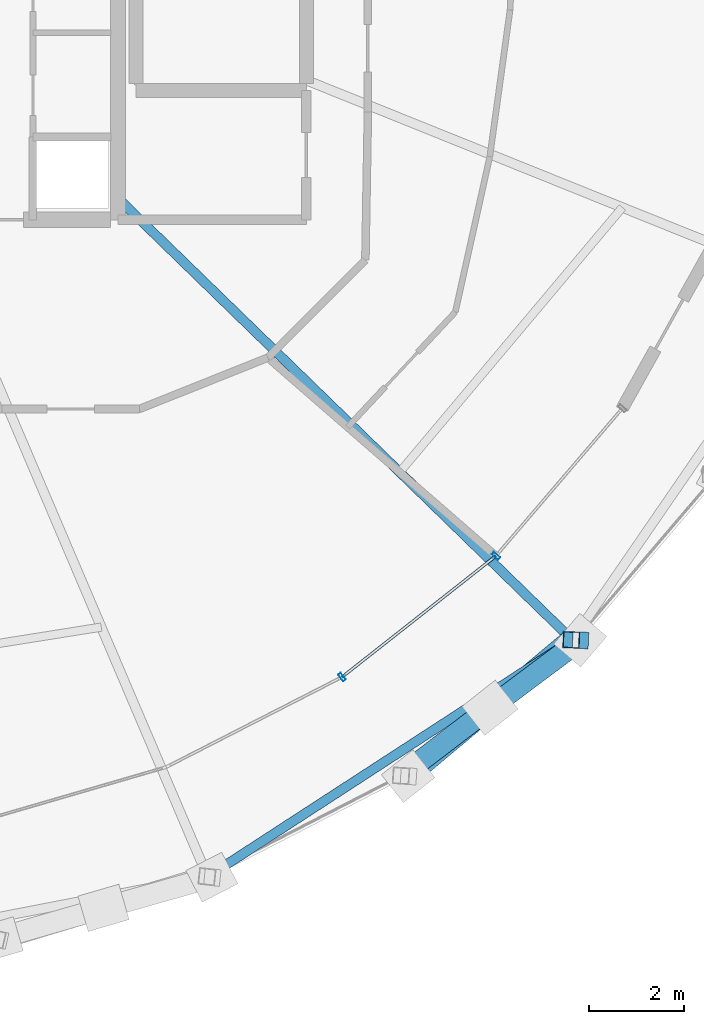
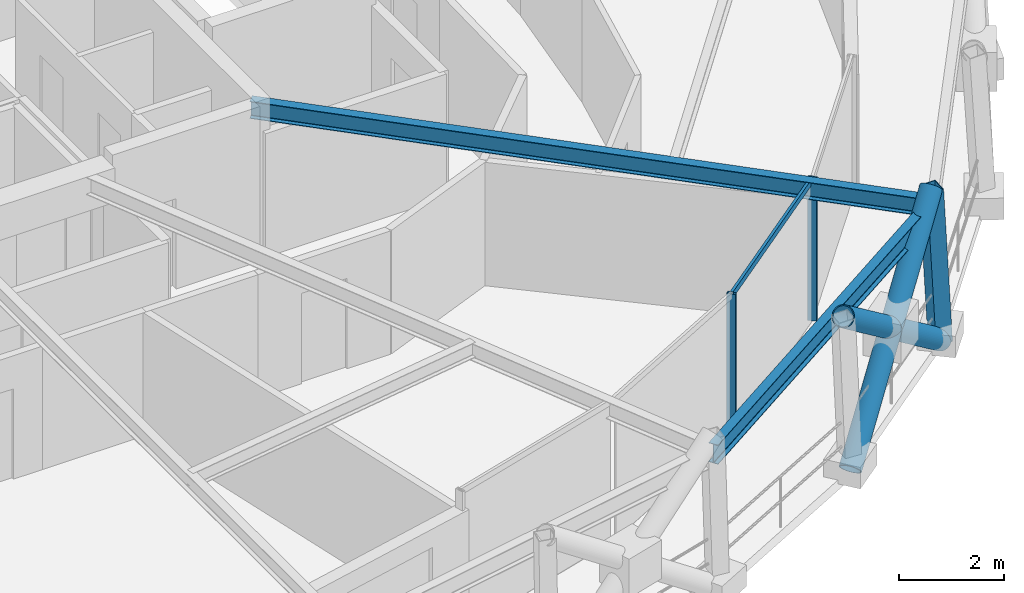
# One storey, part 4 of 17: 7 members, 2 beams, 1 element without a shape of its own.
"""IFC4 building model written with IfcOpenShell, lengths in metres."""

from ifc_helpers import new_model, si_unit, direction, frame, origin, origin_2d, place, context, subcontext, project, spatial, hollow_rectangle, hollow_circle, i_section, extrude, material, layer, layer_set, material_profile, profile_set, type_object, element, aggregate, save


model = new_model("IFC4")

# Units and contexts
model_context = context("Model", 3, precision=1e-05, world=origin(), true_north=direction((0.0, 1.0)))
body_context = subcontext(model_context, "Body", "Model", "MODEL_VIEW")
ifc_project = project(units=[si_unit("LENGTHUNIT", "METRE"), si_unit("AREAUNIT", "SQUARE_METRE"), si_unit("VOLUMEUNIT", "CUBIC_METRE"), si_unit("PLANEANGLEUNIT", "RADIAN"), si_unit("MASSUNIT", "GRAM", prefix="KILO")], contexts=[model_context])

# Site, building, storey
site_placement = place(None, origin())
site = spatial("IfcSite", under=ifc_project, at=site_placement, CompositionType="ELEMENT")
building_placement = place(site_placement, origin())
building = spatial("IfcBuilding", under=site, at=building_placement, Name="Veldorina Hangang Commons", CompositionType="ELEMENT")
storey_placement = place(building_placement, frame((0.0, 0.0, 236.39990234375)))
storey = spatial("IfcBuildingStorey", under=building, at=storey_placement, Name="L61", CompositionType="ELEMENT", Elevation=236.39990234375)

# Beams
ifc_material_1 = material(Name="Steel SM355-TMC", Category="steel")
ifc_material_profile_1 = material_profile(ifc_material_1, i_section(OverallWidth=0.199951171875, OverallDepth=0.39990234375, WebThickness=0.008056640625, FlangeThickness=0.012939453125, FilletRadius=0.012939453125, at=origin_2d()), Name="H-400x200x8x13")
ifc_profile_set_1 = profile_set([ifc_material_profile_1], Name="Steel SM355-TMC")
beam_type_1 = type_object("IfcBeamType", Name="BM-FG400", PredefinedType="BEAM", material=ifc_profile_set_1)
beam_1_placement = place(storey_placement, frame((39.199951171875, 17.00146484375, 3.16015625), z_axis=(0.717064277659, -0.697007045664, 0.0), x_axis=(0.697007045664, 0.717064277659, 0.0)))
element("IfcBeam", 1, at=beam_1_placement, inside=storey, type_object=beam_type_1, Name="L61 radial floor girder 15", PredefinedType="BEAM", context=body_context, shape_type="SweptSolid", body=[
    extrude(i_section(OverallWidth=0.199951171875, OverallDepth=0.39990234375, WebThickness=0.008056640625, FlangeThickness=0.012939453125, FilletRadius=0.012939453125, at=origin_2d()), origin(), (0.0, 0.0, 1.0), 13.389404296875),
])
ifc_material_profile_2 = material_profile(ifc_material_1, i_section(OverallWidth=0.199951171875, OverallDepth=0.449951171875, WebThickness=0.009033203125, FlangeThickness=0.013916015625, FilletRadius=0.01611328125, at=origin_2d()), Name="H-450x200x9x14")
ifc_profile_set_2 = profile_set([ifc_material_profile_2], Name="Steel SM355-TMC")
beam_type_2 = type_object("IfcBeamType", Name="BM-RB450", PredefinedType="BEAM", material=ifc_profile_set_2)
beam_2_placement = place(storey_placement, frame((41.0927734375, 2.66259765625, 3.135009765625), z_axis=(0.838643218797, 0.544681146696, 0.0), x_axis=(-0.544681146696, 0.838643218797, 0.0)))
element("IfcBeam", 2, at=beam_2_placement, inside=storey, type_object=beam_type_2, Name="L61 perimeter hoop ring beam 26", PredefinedType="BEAM", context=body_context, shape_type="SweptSolid", body=[
    extrude(i_section(OverallWidth=0.199951171875, OverallDepth=0.449951171875, WebThickness=0.009033203125, FlangeThickness=0.013916015625, FilletRadius=0.01611328125, at=origin_2d()), origin(), (0.0, 0.0, 1.0), 9.19140625),
])

# Curtain wall, members
ifc_material_2 = material(Name="Glass Low-E Selective", Category="glass")
ifc_layer = layer(ifc_material_2, 0.179931640625)
ifc_layer_set = layer_set([ifc_layer], Name="Glass Low-E Selective")
curtain_wall_type = type_object("IfcCurtainWallType", Name="CW-SYS-Z3", PredefinedType="NOTDEFINED", material=ifc_layer_set)
curtain_wall_placement = place(storey_placement, origin())
curtain_wall = element("IfcCurtainWall", 3, at=curtain_wall_placement, inside=storey, type_object=curtain_wall_type, Name="L61 unitised curtain wall CW-L61-R1", PredefinedType="NOTDEFINED")
ifc_material_3 = material(Name="Aluminium Anodized AA6063-T6", Category="aluminium")
ifc_material_profile_3 = material_profile(ifc_material_3, hollow_rectangle(XDim=0.070068359375, YDim=0.179931640625, WallThickness=0.00390625, at=origin_2d()), Name="ALU-RHS-180x70x4")
ifc_profile_set_3 = profile_set([ifc_material_profile_3], Name="Aluminium Anodized AA6063-T6")
member_type_1 = type_object("IfcMemberType", Name="CW-MUL-180", PredefinedType="MULLION", material=ifc_profile_set_3)
member_1_placement = place(storey_placement, frame((43.931640625, 6.88330078125, 0.0), z_axis=(0.0, 0.0, 1.0), x_axis=(0.785954022843, 0.618284945617, 0.0)))
member_1 = element("IfcMember", 4, at=member_1_placement, type_object=member_type_1, Name="CW-L61-R1 vertical mullion 2", PredefinedType="MULLION", context=body_context, shape_type="SweptSolid", body=[
    extrude(hollow_rectangle(XDim=0.070068359375, YDim=0.179931640625, WallThickness=0.00390625, at=origin_2d()), origin(), (0.0, 0.0, 1.0), 3.320068359375),
])
member_2_placement = place(storey_placement, frame((47.18603515625, 9.443359375, 0.0), z_axis=(0.0, 0.0, 1.0), x_axis=(0.650363316722, 0.75962329892, 0.0)))
member_2 = element("IfcMember", 5, at=member_2_placement, type_object=member_type_1, Name="CW-L61-R1 vertical mullion 3", PredefinedType="MULLION", context=body_context, shape_type="SweptSolid", body=[
    extrude(hollow_rectangle(XDim=0.070068359375, YDim=0.179931640625, WallThickness=0.00390625, at=origin_2d()), origin(), (0.0, 0.0, 1.0), 3.320068359375),
])
ifc_material_profile_4 = material_profile(ifc_material_3, hollow_rectangle(XDim=0.06005859375, YDim=0.139892578125, WallThickness=0.00341796875, at=origin_2d()), Name="ALU-RHS-140x60x3.5")
ifc_profile_set_4 = profile_set([ifc_material_profile_4], Name="Aluminium Anodized AA6063-T6")
member_type_2 = type_object("IfcMemberType", Name="CW-TRN-140", PredefinedType="USERDEFINED", material=ifc_profile_set_4)
member_3_placement = place(storey_placement, frame((43.931640625, 6.88330078125, 3.280029296875), z_axis=(0.785962204849, 0.61827454464, 0.0), x_axis=(-0.61827454464, 0.785962204849, 0.0)))
member_3 = element("IfcMember", 6, at=member_3_placement, type_object=member_type_2, Name="CW-L61-R1 facet 3 transom 1", ObjectType="TRANSOM", PredefinedType="USERDEFINED", context=body_context, shape_type="SweptSolid", body=[
    extrude(hollow_rectangle(XDim=0.06005859375, YDim=0.139892578125, WallThickness=0.00341796875, at=origin_2d()), origin(), (0.0, 0.0, 1.0), 4.140625),
])
aggregate(curtain_wall, [member_1, member_2, member_3])

# Members
ifc_material_profile_5 = material_profile(ifc_material_1, hollow_circle(Radius=0.22509765625, WallThickness=0.02197265625, at=origin_2d()), Name="CHS-450x22")
ifc_profile_set_5 = profile_set([ifc_material_profile_5], Name="Steel SM355-TMC")
member_type_3 = type_object("IfcMemberType", Name="DG-CHS450", PredefinedType="BRACE", material=ifc_profile_set_5)
member_4_placement = place(storey_placement, frame((45.33154296875, 4.7880859375, 0.0), z_axis=(0.598453994477, 0.500690957109, 0.625428958367), x_axis=(-0.641680219659, 0.76697229135, 0.0)))
element("IfcMember", 7, at=member_4_placement, inside=storey, type_object=member_type_3, Name="L61 continuous perimeter diagrid brace 27", PredefinedType="BRACE", context=body_context, shape_type="SweptSolid", body=[
    extrude(hollow_circle(Radius=0.22509765625, WallThickness=0.02197265625, at=origin_2d()), origin(), (0.0, 0.0, 1.0), 5.756103515625),
])
member_5_placement = place(storey_placement, frame((48.968017578125, 7.66162109375, 0.0), z_axis=(-0.638029131372, -0.477419545832, 0.604143529949), x_axis=(0.599114332831, -0.80066348499, 0.0)))
element("IfcMember", 8, at=member_5_placement, inside=storey, type_object=member_type_3, Name="L61 split perimeter diagrid lower brace 28", PredefinedType="BRACE", context=body_context, shape_type="SweptSolid", body=[
    extrude(hollow_circle(Radius=0.22509765625, WallThickness=0.02197265625, at=origin_2d()), origin(), (0.0, 0.0, 1.0), 2.989990234375),
])
member_6_placement = place(storey_placement, frame((47.060302734375, 6.234130859375, 1.806396484375), z_axis=(-0.633074293491, -0.483791476461, 0.604286973403), x_axis=(0.607193355534, -0.794554107029, 0.0)))
element("IfcMember", 9, at=member_6_placement, inside=storey, type_object=member_type_3, Name="L61 split perimeter diagrid upper brace 28", PredefinedType="BRACE", context=body_context, shape_type="SweptSolid", body=[
    extrude(hollow_circle(Radius=0.22509765625, WallThickness=0.02197265625, at=origin_2d()), origin(), (0.0, 0.0, 1.0), 2.96826171875),
])
ifc_material_profile_6 = material_profile(ifc_material_1, hollow_rectangle(XDim=0.35009765625, YDim=0.35009765625, WallThickness=0.01611328125, at=origin_2d()), Name="SHS-350x350x16")
ifc_profile_set_6 = profile_set([ifc_material_profile_6], Name="Steel SM355-TMC")
member_type_4 = type_object("IfcMemberType", Name="STR-SHS350", PredefinedType="STRUT", material=ifc_profile_set_6)
member_7_placement = place(storey_placement, frame((48.968017578125, 7.66162109375, 0.0), z_axis=(-0.053159354051, 0.002370162283, 0.998583229084), x_axis=(-0.044541736754, -0.99900752434, 0.0)))
element("IfcMember", 10, at=member_7_placement, inside=storey, type_object=member_type_4, Name="L61 perimeter ring node post 28", PredefinedType="STRUT", context=body_context, shape_type="SweptSolid", body=[
    extrude(hollow_rectangle(XDim=0.35009765625, YDim=0.35009765625, WallThickness=0.01611328125, at=origin_2d()), origin(), (0.0, 0.0, 1.0), 3.605224609375),
])

save(model, "model.ifc")
